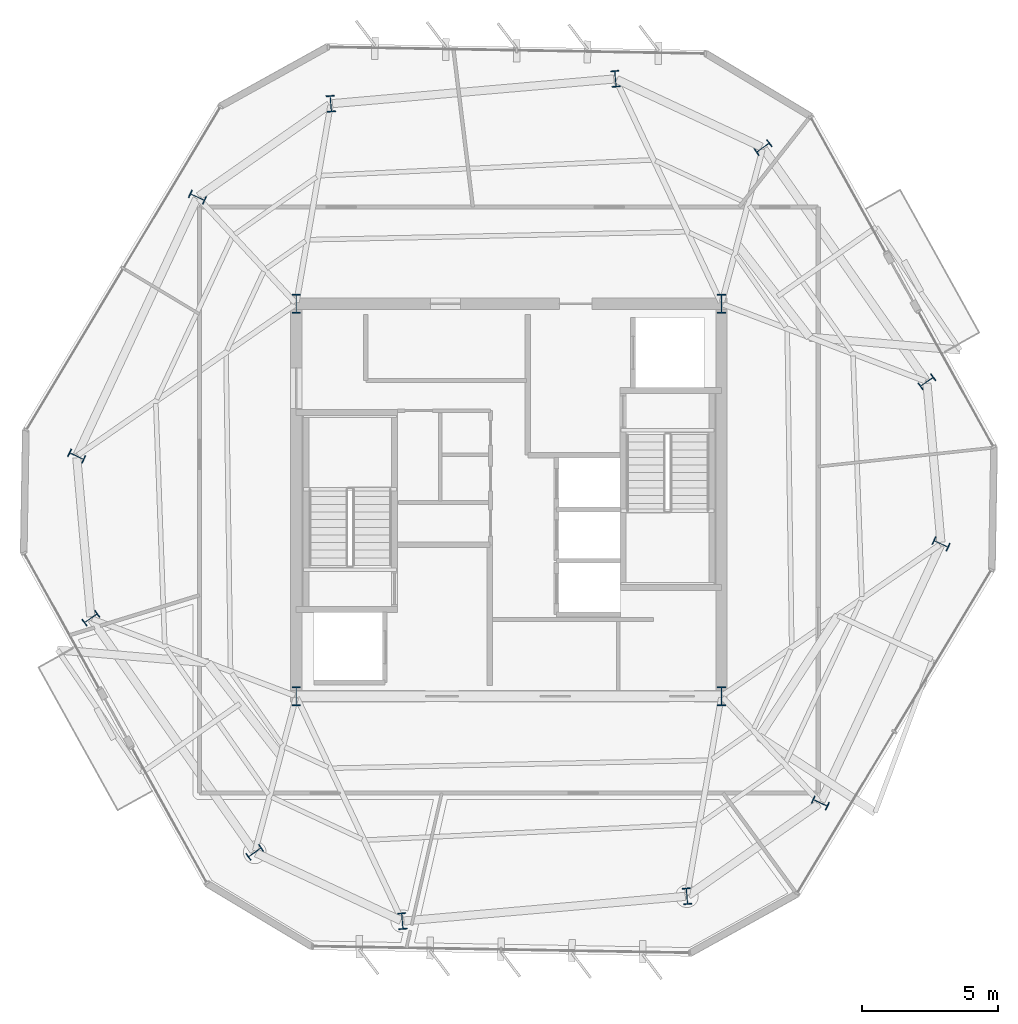
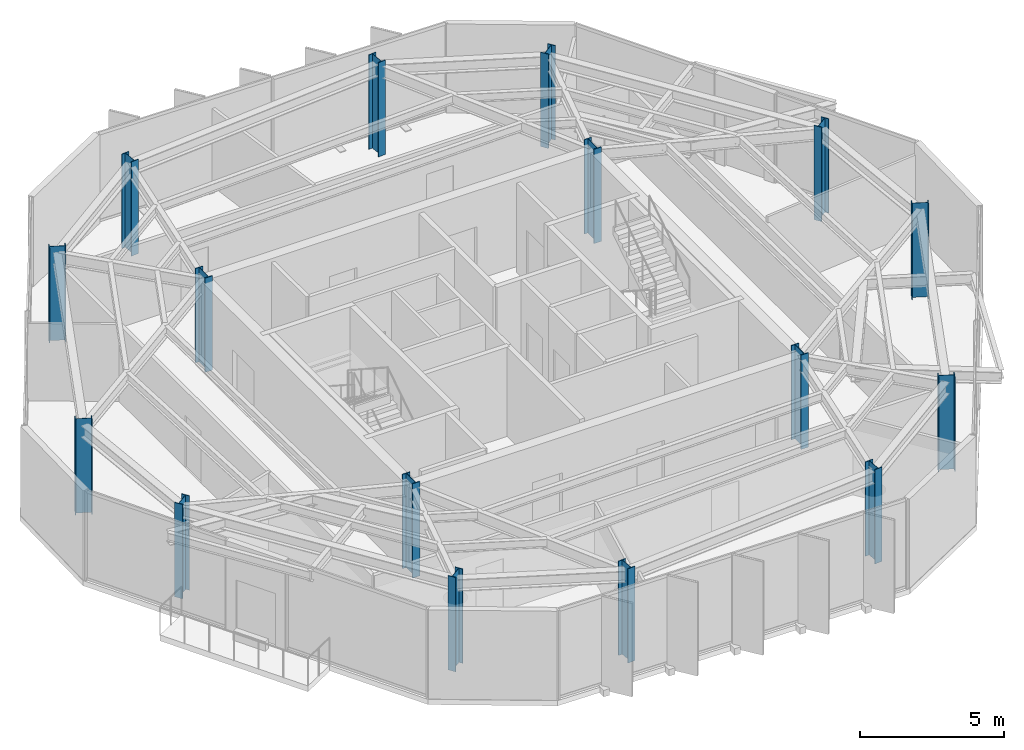
# One storey, part 1 of 10: 16 columns.
"""IFC4 building model written with IfcOpenShell, lengths in metres."""

import ifcopenshell
import ifcopenshell.guid

model = None  # the IFC model being written
_history = None  # IfcOwnerHistory: only IFC2X3 demands one
_inside = {}  # id of a spatial element -> (the spatial element, [elements in it])
_under = {}  # id of a project, library or spatial element -> (it, [spatial elements below it])
_declared = {}  # id of a project -> (the project, [libraries it declares])
_typed = {}  # id of a type object -> (the type object, [elements of that type])
_made_of = {}  # id of a material, layer set ... -> (it, [elements and type objects made of it])


def new_model(schema):
    """Start an empty IFC model of exactly this schema.

    Asked for "IFC4X3", IfcOpenShell would pick the latest addendum, in which some entities
    have other attributes; the version numbers below select the first issue.
    IFC2X3 requires an IfcOwnerHistory on every rooted entity: one is made here for all.
    """
    global model, _history
    if schema == "IFC4X3":
        model = ifcopenshell.file(schema_version=(4, 3, 0, 0))
    else:
        model = ifcopenshell.file(schema=schema)
    _inside.clear()
    _under.clear()
    _declared.clear()
    _typed.clear()
    _made_of.clear()
    _history = None
    if model.schema == "IFC2X3":
        org = make("IfcOrganization", Name="unknown")
        user = make(
            "IfcPersonAndOrganization",
            ThePerson=make("IfcPerson", FamilyName="unknown"),
            TheOrganization=org,
        )
        app = make(
            "IfcApplication",
            ApplicationDeveloper=org,
            Version="unknown",
            ApplicationFullName="unknown",
            ApplicationIdentifier="unknown",
        )
        _history = make(
            "IfcOwnerHistory",
            OwningUser=user,
            OwningApplication=app,
            ChangeAction="ADDED",
            CreationDate=0,
        )
    return model


def make(cls, **values):
    """One entity of the class cls with the attributes given. An attribute that is None is left unset."""
    return model.create_entity(
        cls, **{name: value for name, value in values.items() if value is not None}
    )


def rooted(cls, **values):
    """An entity with a GlobalId (a new one), such as an element, a storey or a relation."""
    return make(cls, GlobalId=ifcopenshell.guid.new(), OwnerHistory=_history, **values)


def si_unit(unit_type, name, prefix=None):
    """IfcSIUnit, for example si_unit("LENGTHUNIT", "METRE", prefix="MILLI")."""
    return make("IfcSIUnit", UnitType=unit_type, Prefix=prefix, Name=name)


def assignment(units):
    """IfcUnitAssignment: the units of a project."""
    return None if units is None else make("IfcUnitAssignment", Units=units)


def point(xyz):
    """IfcCartesianPoint."""
    return None if xyz is None else make("IfcCartesianPoint", Coordinates=xyz)


def direction(xyz):
    """IfcDirection."""
    return None if xyz is None else make("IfcDirection", DirectionRatios=xyz)


def frame(location, z_axis=None, x_axis=None):
    """IfcAxis2Placement3D, a coordinate frame: its origin and axes. An axis left out is left unset."""
    return make(
        "IfcAxis2Placement3D",
        Location=point(location),
        Axis=direction(z_axis),
        RefDirection=direction(x_axis),
    )


def frame_2d(location, x_axis=None):
    """IfcAxis2Placement2D, a coordinate frame in the plane: its origin and x axis."""
    return make(
        "IfcAxis2Placement2D", Location=point(location), RefDirection=direction(x_axis)
    )


def origin():
    """The frame at (0, 0, 0) with its axes left unset."""
    return frame((0.0, 0.0, 0.0))


def origin_2d():
    """The frame at (0, 0) in the plane with its x axis left unset."""
    return frame_2d((0.0, 0.0))


def place(relative_to, where):
    """IfcLocalPlacement: puts the frame where relative to a parent placement (None: the world)."""
    return make(
        "IfcLocalPlacement", PlacementRelTo=relative_to, RelativePlacement=where
    )


def context(
    kind, dimensions, precision=None, world=None, true_north=None, identifier=None
):
    """IfcGeometricRepresentationContext, for example the 3D "Model" context."""
    return make(
        "IfcGeometricRepresentationContext",
        ContextIdentifier=identifier,
        ContextType=kind,
        CoordinateSpaceDimension=dimensions,
        Precision=precision,
        WorldCoordinateSystem=world,
        TrueNorth=true_north,
    )


def subcontext(parent, identifier, kind, view, scale=None):
    """IfcGeometricRepresentationSubContext, for example "Body" below "Model"."""
    return make(
        "IfcGeometricRepresentationSubContext",
        ContextIdentifier=identifier,
        ContextType=kind,
        ParentContext=parent,
        TargetScale=scale,
        TargetView=view,
    )


def project(units=None, contexts=None):
    """IfcProject with its units and contexts."""
    return rooted(
        "IfcProject",
        Name="project",
        RepresentationContexts=contexts,
        UnitsInContext=assignment(units),
    )


def spatial(cls, under=None, at=None, **own):
    """A site, building, storey or space (cls), placed at a placement, below another one or the project."""
    s = rooted(cls, ObjectPlacement=at, **own)
    if under is not None:
        _under.setdefault(under.id(), (under, []))[1].append(s)
    return s


def profile(cls, at=None, kind="AREA", **sizes):
    """A parametric profile (cls). Its sizes go by their IFC names, for example OverallWidth=200.0."""
    return make(cls, ProfileType=kind, Position=at, **sizes)


def i_section(**sizes):
    """IfcIShapeProfileDef."""
    return profile("IfcIShapeProfileDef", **sizes)


def extrude(swept, where, along, depth):
    """IfcExtrudedAreaSolid: the profile swept, set in the frame where, extruded along a direction by depth."""
    return make(
        "IfcExtrudedAreaSolid",
        SweptArea=swept,
        Position=where,
        ExtrudedDirection=direction(along),
        Depth=depth,
    )


def shape(context_of_items, identifier, shape_type, items):
    """IfcShapeRepresentation: the items that make up one representation, for example the "Body"."""
    return make(
        "IfcShapeRepresentation",
        ContextOfItems=context_of_items,
        RepresentationIdentifier=identifier,
        RepresentationType=shape_type,
        Items=items,
    )


def material(Name=None, Category=None):
    """IfcMaterial."""
    return make("IfcMaterial", Name=Name, Category=Category)


def material_profile(
    of_material, cross_section, Name=None, Category=None, Priority=None
):
    """IfcMaterialProfile: a cross section and its material."""
    return make(
        "IfcMaterialProfile",
        Name=Name,
        Material=of_material,
        Profile=cross_section,
        Priority=Priority,
        Category=Category,
    )


def profile_set(profiles, Name=None, composite=None):
    """IfcMaterialProfileSet."""
    return make(
        "IfcMaterialProfileSet",
        Name=Name,
        MaterialProfiles=profiles,
        CompositeProfile=composite,
    )


def made_of(thing, what):
    """Note that an element or type object is made of a material, layer set ...; save() writes the relation."""
    if what is not None:
        _made_of.setdefault(what.id(), (what, []))[1].append(thing)
    return thing


def type_object(cls, material=None, **own):
    """A type object (cls), such as IfcWallType, which elements share."""
    return made_of(rooted(cls, **own), material)


def element(
    cls,
    number,
    at=None,
    inside=None,
    cuts=None,
    type_object=None,
    material=None,
    context=None,
    identifier="Body",
    shape_type=None,
    held_by="IfcProductDefinitionShape",
    body=None,
    shapes=None,
    **own,
):
    """One element of the class cls, such as IfcWall. Its Tag is "e" and its number.

    at: its placement. inside: the storey or other place that contains it. cuts: it is an
    opening in that element (IfcRelVoidsElement). A single representation is given by context,
    identifier, shape_type and body (its items); several are given by shapes. held_by: the class
    of the entity that holds the representations. save() writes the other relations.
    """
    e = rooted(cls, Tag="e%d" % number, ObjectPlacement=at, **own)
    if body is not None:
        shapes = [shape(context, identifier, shape_type, body)]
    if shapes is not None:
        e.Representation = make(held_by, Representations=shapes)
    if inside is not None:
        _inside.setdefault(inside.id(), (inside, []))[1].append(e)
    if cuts is not None:
        rooted(
            "IfcRelVoidsElement", RelatingBuildingElement=cuts, RelatedOpeningElement=e
        )
    if type_object is not None:
        _typed.setdefault(type_object.id(), (type_object, []))[1].append(e)
    return made_of(e, material)


def aggregate(whole, parts):
    """IfcRelAggregates: a whole, such as a stair, and the parts it consists of."""
    return rooted("IfcRelAggregates", RelatingObject=whole, RelatedObjects=parts)


def save(model, path):
    """Write the relations noted so far, then the file.

    IfcRelAggregates (storeys below a building ...), IfcRelContainedInSpatialStructure (elements
    in a storey), IfcRelDefinesByType, IfcRelAssociatesMaterial and IfcRelDeclares: one each for
    every whole, place, type object, material and project.
    """
    for whole, parts in _under.values():
        aggregate(whole, parts)
    for where, things in _inside.values():
        rooted(
            "IfcRelContainedInSpatialStructure",
            RelatedElements=things,
            RelatingStructure=where,
        )
    for kind, things in _typed.values():
        rooted("IfcRelDefinesByType", RelatedObjects=things, RelatingType=kind)
    for what, things in _made_of.values():
        rooted("IfcRelAssociatesMaterial", RelatedObjects=things, RelatingMaterial=what)
    for by, libraries in _declared.values():
        rooted("IfcRelDeclares", RelatingContext=by, RelatedDefinitions=libraries)
    model.write(path)


model = new_model("IFC4")

# Units and contexts
model_context = context("Model", 3, precision=1e-05, world=origin(), true_north=direction((0.0, 1.0)))
body_context = subcontext(model_context, "Body", "Model", "MODEL_VIEW")
ifc_project = project(units=[si_unit("LENGTHUNIT", "METRE"), si_unit("AREAUNIT", "SQUARE_METRE"), si_unit("VOLUMEUNIT", "CUBIC_METRE"), si_unit("PLANEANGLEUNIT", "RADIAN"), si_unit("MASSUNIT", "GRAM", prefix="KILO")], contexts=[model_context])

# Site, building, storey
site_placement = place(None, origin())
site = spatial("IfcSite", under=ifc_project, at=site_placement, CompositionType="ELEMENT")
building_placement = place(site_placement, origin())
building = spatial("IfcBuilding", under=site, at=building_placement, Name="Kranzbogen Civic Tower", CompositionType="ELEMENT")
storey_placement = place(building_placement, frame((0.0, 0.0, 262.199951171875)))
storey = spatial("IfcBuildingStorey", under=building, at=storey_placement, Name="L63", CompositionType="ELEMENT", Elevation=262.199951171875)

# Columns
ifc_material = material(Name="Steel S355", Category="steel")
ifc_material_profile_1 = material_profile(ifc_material, i_section(OverallWidth=0.300048828125, OverallDepth=0.60009765625, WebThickness=0.015380859375, FlangeThickness=0.030029296875, at=origin_2d()), Name="HEB 600")
ifc_profile_set_1 = profile_set([ifc_material_profile_1], Name="Steel S355")
column_type_1 = type_object("IfcColumnType", Name="Structural Column HEB 600", PredefinedType="COLUMN", material=ifc_profile_set_1)
for number, where, z_axis, x_axis, name in (
    (1, (28.908935546875, 40.449951171875, 0.0), (0.0, 0.0, 1.0), (0.996194698092, 0.087155742748, 0.0), "L63 tower perimeter tube column 01"),
    (2, (18.467041015625, 39.535888671875, 0.0), (0.0, 0.0, 1.0), (0.996194698092, 0.087155742748, 0.0), "L63 tower perimeter tube column 02"),
    (3, (13.574951171875, 36.110107421875, 0.0), (0.0, 0.0, 1.0), (0.422618261741, 0.906307787037, 0.0), "L63 tower perimeter tube column 03"),
    (4, (9.14501953125, 26.610107421875, 0.0), (0.0, 0.0, 1.0), (0.422618261741, 0.906307787037, 0.0), "L63 tower perimeter tube column 04"),
    (5, (9.666015625, 20.660888671875, 0.0), (0.0, 0.0, 1.0), (-0.573576436351, 0.819152044289, 0.0), "L63 tower perimeter tube column 05"),
    (6, (15.677978515625, 12.073974609375, 0.0), (0.0, 0.0, 1.0), (-0.573576436351, 0.819152044289, 0.0), "L63 tower perimeter tube column 06"),
    (7, (21.091064453125, 9.550048828125, 0.0), (0.0, 0.0, 1.0), (0.996194698092, 0.087155742748, 0.0), "L63 tower perimeter tube column 07"),
    (8, (31.532958984375, 10.464111328125, 0.0), (0.0, 0.0, 1.0), (0.996194698092, 0.087155742748, 0.0), "L63 tower perimeter tube column 08"),
    (9, (36.425048828125, 13.889892578125, 0.0), (0.0, 0.0, 1.0), (0.422618261741, 0.906307787037, 0.0), "L63 tower perimeter tube column 09"),
    (10, (40.85498046875, 23.389892578125, 0.0), (0.0, 0.0, 1.0), (0.422618261741, 0.906307787037, 0.0), "L63 tower perimeter tube column 10"),
    (11, (40.333984375, 29.339111328125, 0.0), (0.0, 0.0, 1.0), (-0.573576436351, 0.819152044289, 0.0), "L63 tower perimeter tube column 11"),
    (12, (34.322021484375, 37.926025390625, 0.0), (0.0, 0.0, 1.0), (-0.573576436351, 0.819152044289, 0.0), "L63 tower perimeter tube column 12"),
):
    element("IfcColumn", number, at=place(storey_placement, frame(where, z_axis=z_axis, x_axis=x_axis)), inside=storey, type_object=column_type_1, Name=name, PredefinedType="COLUMN", context=body_context, shape_type="SweptSolid", body=[
        extrude(i_section(OverallWidth=0.300048828125, OverallDepth=0.60009765625, WebThickness=0.015380859375, FlangeThickness=0.030029296875, at=origin_2d()), origin(), (0.0, 0.0, 1.0), 4.0),
    ])
ifc_material_profile_2 = material_profile(ifc_material, i_section(OverallWidth=0.300048828125, OverallDepth=0.699951171875, WebThickness=0.01708984375, FlangeThickness=0.031982421875, at=origin_2d()), Name="HEB 700")
ifc_profile_set_2 = profile_set([ifc_material_profile_2], Name="Steel S355")
column_type_2 = type_object("IfcColumnType", Name="Structural Column HEB 700", PredefinedType="COLUMN", material=ifc_profile_set_2)
for number, where, z_axis, x_axis, name in (
    (13, (17.199951171875, 17.800048828125, 0.0), (0.0, 0.0, 1.0), (1.0, 0.0, 0.0), "L63 composite core corner column 1"),
    (14, (32.800048828125, 17.800048828125, 0.0), (0.0, 0.0, 1.0), (1.0, 0.0, 0.0), "L63 composite core corner column 2"),
    (15, (32.800048828125, 32.199951171875, 0.0), (0.0, 0.0, 1.0), (1.0, 0.0, 0.0), "L63 composite core corner column 3"),
    (16, (17.199951171875, 32.199951171875, 0.0), (0.0, 0.0, 1.0), (1.0, 0.0, 0.0), "L63 composite core corner column 4"),
):
    element("IfcColumn", number, at=place(storey_placement, frame(where, z_axis=z_axis, x_axis=x_axis)), inside=storey, type_object=column_type_2, Name=name, PredefinedType="COLUMN", context=body_context, shape_type="SweptSolid", body=[
        extrude(i_section(OverallWidth=0.300048828125, OverallDepth=0.699951171875, WebThickness=0.01708984375, FlangeThickness=0.031982421875, at=origin_2d()), origin(), (0.0, 0.0, 1.0), 4.0),
    ])

save(model, "model.ifc")
